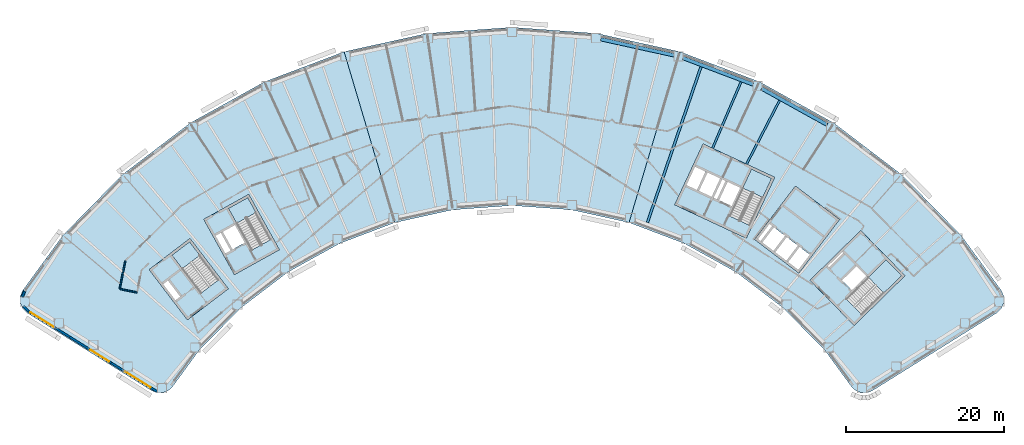
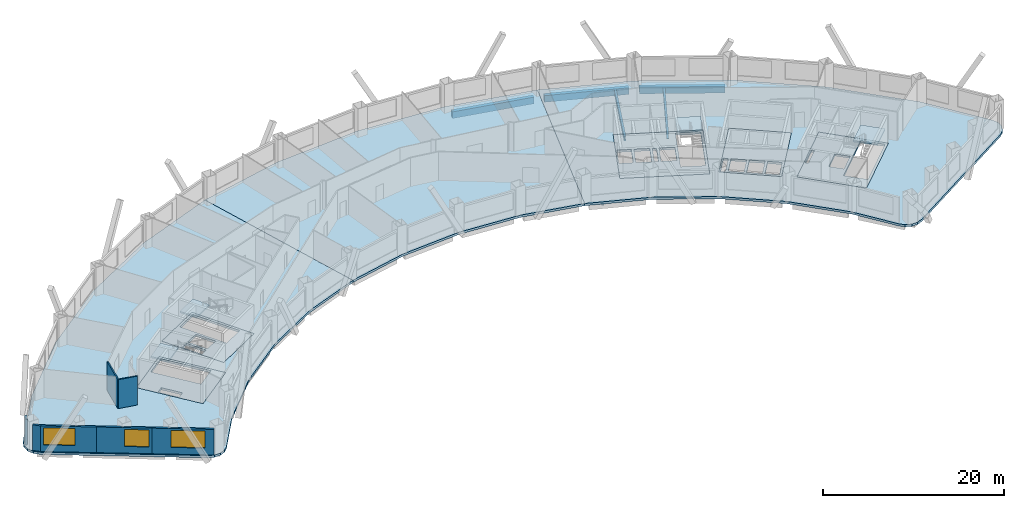
# One storey, part 2 of 12: 12 slabs, 7 walls, 6 beams, 3 windows, 3 openings, 4 elements without a shape of their own.
"""IFC4 building model written with IfcOpenShell, lengths in metres."""

from ifc_helpers import new_model, si_unit, direction, frame, frame_2d, origin, origin_2d, place, context, subcontext, project, spatial, polyline, rectangle, hollow_rectangle, i_section, outline, extrude, material, layer, layer_set, material_profile, profile_set, type_object, element, fill, aggregate, save


model = new_model("IFC4")

# Units and contexts
model_context = context("Model", 3, precision=1e-05, world=origin(), true_north=direction((0.0, 1.0)))
body_context = subcontext(model_context, "Body", "Model", "MODEL_VIEW")
ifc_project = project(units=[si_unit("LENGTHUNIT", "METRE"), si_unit("AREAUNIT", "SQUARE_METRE"), si_unit("VOLUMEUNIT", "CUBIC_METRE"), si_unit("PLANEANGLEUNIT", "RADIAN"), si_unit("MASSUNIT", "GRAM", prefix="KILO")], contexts=[model_context])

# Site, building, storey
site_placement = place(None, origin())
site = spatial("IfcSite", under=ifc_project, at=site_placement, CompositionType="ELEMENT")
building_placement = place(site_placement, origin())
building = spatial("IfcBuilding", under=site, at=building_placement, Name="Tuul Gate Civic Tower", CompositionType="ELEMENT")
storey_placement = place(building_placement, frame((0.0, 0.0, 82.199951171875)))
storey = spatial("IfcBuildingStorey", under=building, at=storey_placement, Name="Level 18", CompositionType="ELEMENT", Elevation=82.199951171875)

# Beams
ifc_material_1 = material(Name="Steel S355", Category="steel")
ifc_material_profile_1 = material_profile(ifc_material_1, i_section(OverallWidth=0.25, OverallDepth=0.64990234375, WebThickness=0.011962890625, FlangeThickness=0.02001953125, at=origin_2d()), Name="PG650x250x12x20")
ifc_profile_set_1 = profile_set([ifc_material_profile_1], Name="Steel S355")
beam_type_1 = type_object("IfcBeamType", Name="STR-FLOOR BEAM-PG650x250x12x20", PredefinedType="BEAM", material=ifc_profile_set_1)
beam_1_placement = place(storey_placement, frame((34.490478515625, 1.98095703125, -0.625), z_axis=(0.460790383982, 0.887508998281, 0.0), x_axis=(-0.887508998281, 0.460790383982, 0.0)))
element("IfcBeam", 1, at=beam_1_placement, inside=storey, type_object=beam_type_1, Name="Floor beam", PredefinedType="BEAM", context=body_context, shape_type="SweptSolid", body=[
    extrude(i_section(OverallWidth=0.25, OverallDepth=0.64990234375, WebThickness=0.011962890625, FlangeThickness=0.02001953125, at=origin_2d()), origin(), (0.0, 0.0, 1.0), 9.064453125),
])
beam_2_placement = place(storey_placement, frame((30.191162109375, 3.98583984375, -0.625), z_axis=(0.394199935174, 0.919024706474, 0.0), x_axis=(-0.919024706474, 0.394199935174, 0.0)))
element("IfcBeam", 2, at=beam_2_placement, inside=storey, type_object=beam_type_1, Name="Floor beam", PredefinedType="BEAM", context=body_context, shape_type="SweptSolid", body=[
    extrude(i_section(OverallWidth=0.25, OverallDepth=0.64990234375, WebThickness=0.011962890625, FlangeThickness=0.02001953125, at=origin_2d()), origin(), (0.0, 0.0, 1.0), 9.1337890625),
])
ifc_material_2 = material(Name="Steel S355", Category="steel")
ifc_material_profile_2 = material_profile(ifc_material_2, i_section(OverallWidth=0.300048828125, OverallDepth=0.800048828125, WebThickness=0.013916015625, FlangeThickness=0.02490234375, at=origin_2d()), Name="PG800x300x14x25")
ifc_profile_set_2 = profile_set([ifc_material_profile_2], Name="Steel S355")
beam_type_2 = type_object("IfcBeamType", Name="STR-FLOOR BEAM-PG800x300x14x25", PredefinedType="BEAM", material=ifc_profile_set_2)
beam_3_placement = place(storey_placement, frame((21.954345703125, -5.380859375, -0.699951171875), z_axis=(0.325483706592, 0.945547649113, 0.0), x_axis=(-0.945547649113, 0.325483706592, 0.0)))
element("IfcBeam", 3, at=beam_3_placement, inside=storey, type_object=beam_type_2, Name="Floor beam", PredefinedType="BEAM", context=body_context, shape_type="SweptSolid", body=[
    extrude(i_section(OverallWidth=0.300048828125, OverallDepth=0.800048828125, WebThickness=0.013916015625, FlangeThickness=0.02490234375, at=origin_2d()), origin(), (0.0, 0.0, 1.0), 20.808837890625),
])
ifc_material_3 = material(Name="Steel S355", Category="steel")
ifc_material_profile_3 = material_profile(ifc_material_3, hollow_rectangle(XDim=0.449951171875, YDim=0.89990234375, WallThickness=0.02490234375, at=origin_2d()), Name="BOX900x450x25")
ifc_profile_set_3 = profile_set([ifc_material_profile_3], Name="Steel S355")
beam_type_3 = type_object("IfcBeamType", Name="STR-SPANDREL BEAM-BOX900x450x25", PredefinedType="BEAM", material=ifc_profile_set_3)
beam_4_placement = place(storey_placement, frame((44.686279296875, 6.974853515625, -0.75), z_axis=(-0.874608888761, 0.484829136604, 0.0), x_axis=(-0.484829136604, -0.874608888761, 0.0)))
element("IfcBeam", 4, at=beam_4_placement, inside=storey, type_object=beam_type_3, Name="Spandrel beam", PredefinedType="BEAM", context=body_context, shape_type="SweptSolid", body=[
    extrude(hollow_rectangle(XDim=0.449951171875, YDim=0.89990234375, WallThickness=0.02490234375, at=origin_2d()), origin(), (0.0, 0.0, 1.0), 9.47802734375),
])
beam_5_placement = place(storey_placement, frame((35.310791015625, 12.0732421875, -0.75), z_axis=(-0.935376104649, 0.353654552993, 0.0), x_axis=(-0.353654552993, -0.935376104649, 0.0)))
element("IfcBeam", 5, at=beam_5_placement, inside=storey, type_object=beam_type_3, Name="Spandrel beam", PredefinedType="BEAM", context=body_context, shape_type="SweptSolid", body=[
    extrude(hollow_rectangle(XDim=0.449951171875, YDim=0.89990234375, WallThickness=0.02490234375, at=origin_2d()), origin(), (0.0, 0.0, 1.0), 9.47705078125),
])
beam_6_placement = place(storey_placement, frame((25.299072265625, 15.76611328125, -0.75), z_axis=(-0.97656320303, 0.215230830708, 0.0), x_axis=(-0.215230830708, -0.97656320303, 0.0)))
element("IfcBeam", 6, at=beam_6_placement, inside=storey, type_object=beam_type_3, Name="Spandrel beam", PredefinedType="BEAM", context=body_context, shape_type="SweptSolid", body=[
    extrude(hollow_rectangle(XDim=0.449951171875, YDim=0.89990234375, WallThickness=0.02490234375, at=origin_2d()), origin(), (0.0, 0.0, 1.0), 9.477294921875),
])

# Slabs
ifc_material_4 = material(Name="Concrete C40/50", Category="concrete")
ifc_layer_1 = layer(ifc_material_4, 0.300048828125)
ifc_layer_set_1 = layer_set([ifc_layer_1], Name="Concrete C40/50")
slab_type_1 = type_object("IfcSlabType", Name="Core floor slab 300", PredefinedType="FLOOR", material=ifc_layer_set_1)
slab_1_placement = place(storey_placement, frame((0.0, 0.0, -0.300048828125)))
element("IfcSlab", 7, at=slab_1_placement, inside=storey, type_object=slab_type_1, Name="FLOOR SLAB", PredefinedType="FLOOR", context=body_context, shape_type="SweptSolid", body=[
    extrude(outline(polyline([(-31.10009765625, -13.7890625), (-35.946044921875, -7.423828125), (-41.11767578125, -11.361572265625), (-36.271484375, -17.726806640625), (-31.10009765625, -13.7890625)]), holes=[polyline([(-37.19287109375, -14.783203125), (-38.737548828125, -12.75439453125), (-39.45361328125, -13.299560546875), (-37.908935546875, -15.328369140625), (-37.19287109375, -14.783203125)]), polyline([(-32.33935546875, -12.65771484375), (-34.56591796875, -14.352783203125), (-38.229736328125, -9.54052734375), (-36.003173828125, -7.845458984375), (-32.33935546875, -12.65771484375)])]), origin(), (0.0, 0.0, 1.0), 0.300048828125),
])
slab_2_placement = place(storey_placement, frame((0.0, 0.0, -0.300048828125)))
element("IfcSlab", 8, at=slab_2_placement, inside=storey, type_object=slab_type_1, Name="FLOOR SLAB", PredefinedType="FLOOR", context=body_context, shape_type="SweptSolid", body=[
    extrude(outline(polyline([(-24.638916015625, -8.846923828125), (-28.51708984375, -1.849853515625), (-34.2021484375, -5.0009765625), (-30.32421875, -11.998046875), (-24.638916015625, -8.846923828125)]), holes=[polyline([(-29.0185546875, -7.958740234375), (-30.254638671875, -5.728515625), (-31.785400390625, -6.576904296875), (-30.54931640625, -8.80712890625), (-29.0185546875, -7.958740234375)]), polyline([(-30.8115234375, -8.95263671875), (-32.047607421875, -6.72216796875), (-32.8349609375, -7.158447265625), (-31.5986328125, -9.388916015625), (-30.8115234375, -8.95263671875)]), polyline([(-25.702392578125, -7.548828125), (-28.14990234375, -8.905517578125), (-31.08203125, -3.615234375), (-28.63427734375, -2.2587890625), (-25.702392578125, -7.548828125)])]), origin(), (0.0, 0.0, 1.0), 0.300048828125),
])
slab_3_placement = place(storey_placement, frame((0.0, 0.0, -0.300048828125)))
element("IfcSlab", 9, at=slab_3_placement, inside=storey, type_object=slab_type_1, Name="FLOOR SLAB", PredefinedType="FLOOR", context=body_context, shape_type="SweptSolid", body=[
    extrude(outline(polyline([(48.117919921875, -18.43310546875), (54.545166015625, -12.1328125), (48.945068359375, -6.419921875), (42.517822265625, -12.719970703125), (48.117919921875, -18.43310546875)]), holes=[polyline([(47.808837890625, -13.974853515625), (49.6298828125, -12.18994140625), (48.40478515625, -10.940185546875), (46.583984375, -12.72509765625), (47.808837890625, -13.974853515625)]), polyline([(44.93896484375, -11.046875), (46.760009765625, -9.261962890625), (46.514892578125, -9.011962890625), (44.69384765625, -10.797119140625), (44.93896484375, -11.046875)]), polyline([(49.086181640625, -17.062744140625), (47.12744140625, -15.064208984375), (52.160888671875, -10.130126953125), (54.11962890625, -12.128662109375), (49.086181640625, -17.062744140625)])]), origin(), (0.0, 0.0, 1.0), 0.300048828125),
])
slab_4_placement = place(storey_placement, frame((0.0, 0.0, -0.300048828125)))
element("IfcSlab", 10, at=slab_4_placement, inside=storey, type_object=slab_type_1, Name="FLOOR SLAB", PredefinedType="FLOOR", context=body_context, shape_type="SweptSolid", body=[
    extrude(outline(polyline([(34.465087890625, -7.385986328125), (38.056884765625, 0.31787109375), (28.993896484375, 4.543701171875), (25.40185546875, -3.159912109375), (34.465087890625, -7.385986328125)]), holes=[polyline([(32.60888671875, -3.32080078125), (33.6865234375, -1.009765625), (32.1005859375, -0.27001953125), (31.02294921875, -2.581298828125), (32.60888671875, -3.32080078125)]), polyline([(30.0712890625, -2.137451171875), (31.14892578125, 0.173583984375), (29.562744140625, 0.9130859375), (28.4853515625, -1.39794921875), (30.0712890625, -2.137451171875)]), polyline([(30.751220703125, -2.454345703125), (31.82861328125, -0.143310546875), (31.4208984375, 0.046875), (30.34326171875, -2.264404296875), (30.751220703125, -2.454345703125)]), polyline([(28.21337890625, -1.27099609375), (29.291015625, 1.0400390625), (27.8408203125, 1.71630859375), (26.76318359375, -0.594970703125), (28.21337890625, -1.27099609375)]), polyline([(34.889892578125, -5.7626953125), (32.353759765625, -4.580078125), (35.120849609375, 1.354736328125), (37.6572265625, 0.17236328125), (34.889892578125, -5.7626953125)])]), origin(), (0.0, 0.0, 1.0), 0.300048828125),
])
ifc_material_5 = material(Name="Concrete C40/50", Category="concrete")
ifc_layer_2 = layer(ifc_material_5, 0.300048828125)
ifc_layer_set_2 = layer_set([ifc_layer_2], Name="Concrete C40/50")
slab_type_2 = type_object("IfcSlabType", Name="Core floor slab 300 non-bearing", PredefinedType="FLOOR", material=ifc_layer_set_2)
slab_5_placement = place(storey_placement, frame((0.0, 0.0, -0.300048828125)))
element("IfcSlab", 11, at=slab_5_placement, inside=storey, type_object=slab_type_2, Name="FLOOR SLAB", PredefinedType="FLOOR", context=body_context, shape_type="SweptSolid", body=[
    extrude(outline(polyline([(41.10107421875, -11.797119140625), (46.25, -5.033935546875), (40.680908203125, -0.79296875), (35.531982421875, -7.555908203125), (41.10107421875, -11.797119140625)]), holes=[polyline([(41.044189453125, -11.37646484375), (42.497802734375, -9.467041015625), (41.22509765625, -8.49755859375), (39.77099609375, -10.4072265625), (41.044189453125, -11.37646484375)]), polyline([(39.532470703125, -10.225341796875), (40.986328125, -8.31591796875), (39.593994140625, -7.255615234375), (38.14013671875, -9.165283203125), (39.532470703125, -10.225341796875)]), polyline([(37.901611328125, -8.9833984375), (39.35546875, -7.073974609375), (37.963134765625, -6.013671875), (36.50927734375, -7.923095703125), (37.901611328125, -8.9833984375)]), polyline([(36.1796875, -7.860595703125), (37.724609375, -5.831787109375), (37.286865234375, -5.49853515625), (35.7421875, -7.527587890625), (36.1796875, -7.860595703125)])]), origin(), (0.0, 0.0, 1.0), 0.300048828125),
])

# Stair, slab
ifc_material_6 = material(Name="Concrete C40/50", Category="concrete")
stair_type = type_object("IfcStairType", Name="Exit stair", PredefinedType="HALF_TURN_STAIR", material=ifc_material_6)
stair_1_placement = place(storey_placement, origin())
stair_1 = element("IfcStair", 12, at=stair_1_placement, inside=storey, type_object=stair_type, Name="Level 18 ST-1", PredefinedType="HALF_TURN_STAIR")
ifc_material_7 = material(Name="Concrete C40/50", Category="concrete")
ifc_layer_3 = layer(ifc_material_7, 0.199951171875)
ifc_layer_set_3 = layer_set([ifc_layer_3], Name="Concrete C40/50")
slab_type_3 = type_object("IfcSlabType", Name="Exit stair landing", PredefinedType="LANDING", material=ifc_layer_set_3)
slab_6_placement = place(storey_placement, frame((0.0, 0.0, 1.900146484375)))
slab_6 = element("IfcSlab", 13, at=slab_6_placement, type_object=slab_type_3, Name="ST-1 landing 1", PredefinedType="LANDING", context=body_context, shape_type="SweptSolid", body=[
    extrude(outline(polyline([(-34.699462890625, -9.554931640625), (-36.9287109375, -11.252197265625), (-38.23193359375, -9.540283203125), (-36.0029296875, -7.843017578125), (-34.699462890625, -9.554931640625)])), origin(), (0.0, 0.0, 1.0), 0.199951171875),
])
aggregate(stair_1, [slab_6])

stair_2_placement = place(storey_placement, origin())
stair_2 = element("IfcStair", 14, at=stair_2_placement, inside=storey, type_object=stair_type, Name="Level 18 ST-2", PredefinedType="HALF_TURN_STAIR")
slab_7_placement = place(storey_placement, frame((0.0, 0.0, 1.900146484375)))
slab_7 = element("IfcSlab", 15, at=slab_7_placement, type_object=slab_type_3, Name="ST-2 landing 1", PredefinedType="LANDING", context=body_context, shape_type="SweptSolid", body=[
    extrude(outline(polyline([(-27.5908203125, -4.138427734375), (-30.041015625, -5.49658203125), (-31.084228515625, -3.61474609375), (-28.6337890625, -2.256591796875), (-27.5908203125, -4.138427734375)])), origin(), (0.0, 0.0, 1.0), 0.199951171875),
])
aggregate(stair_2, [slab_7])

stair_3_placement = place(storey_placement, origin())
stair_3 = element("IfcStair", 16, at=stair_3_placement, inside=storey, type_object=stair_type, Name="Level 18 ST-3", PredefinedType="HALF_TURN_STAIR")
slab_8_placement = place(storey_placement, frame((0.0, 0.0, 1.900146484375)))
slab_8 = element("IfcSlab", 17, at=slab_8_placement, type_object=slab_type_3, Name="ST-3 landing 1", PredefinedType="LANDING", context=body_context, shape_type="SweptSolid", body=[
    extrude(outline(polyline([(51.871337890625, -14.3349609375), (49.91015625, -12.334228515625), (52.160888671875, -10.1279296875), (54.1220703125, -12.128662109375), (51.871337890625, -14.3349609375)])), origin(), (0.0, 0.0, 1.0), 0.199951171875),
])
aggregate(stair_3, [slab_8])

stair_4_placement = place(storey_placement, origin())
stair_4 = element("IfcStair", 18, at=stair_4_placement, inside=storey, type_object=stair_type, Name="Level 18 ST-4", PredefinedType="HALF_TURN_STAIR")
slab_9_placement = place(storey_placement, frame((0.0, 0.0, 1.900146484375)))
slab_9 = element("IfcSlab", 19, at=slab_9_placement, type_object=slab_type_3, Name="ST-4 landing 1", PredefinedType="LANDING", context=body_context, shape_type="SweptSolid", body=[
    extrude(outline(polyline([(36.538818359375, -2.230224609375), (33.999755859375, -1.046142578125), (35.1201171875, 1.35693359375), (37.659423828125, 0.173095703125), (36.538818359375, -2.230224609375)])), origin(), (0.0, 0.0, 1.0), 0.199951171875),
])
aggregate(stair_4, [slab_9])

# Slabs
ifc_material_8 = material(Name="Concrete C35/45", Category="concrete")
ifc_layer_4 = layer(ifc_material_8, 0.300048828125)
ifc_layer_set_4 = layer_set([ifc_layer_4], Name="Concrete C35/45")
slab_type_4 = type_object("IfcSlabType", Name="STR-FLOOR-SLAB-300", PredefinedType="FLOOR", material=ifc_layer_set_4)
slab_10_placement = place(storey_placement, frame((0.0, 0.0, -0.300048828125)))
element("IfcSlab", 20, at=slab_10_placement, inside=storey, type_object=slab_type_4, Name="Level 18/slab/W", PredefinedType="FLOOR", context=body_context, shape_type="SweptSolid", body=[
    extrude(outline(polyline([(-10.006103515625, -5.407958984375), (-16.43994140625, 16.214111328125), (-26.508056640625, 12.406982421875), (-35.923095703125, 7.18798828125), (-44.487060546875, 0.6669921875), (-52.02294921875, -7.02001953125), (-57.10302734375, -13.97607421875), (-57.43994140625, -14.718994140625), (-57.451904296875, -15.534912109375), (-57.136962890625, -16.2880859375), (-56.548095703125, -16.85205078125), (-40.818115234375, -26.680908203125), (-40.1240234375, -26.950927734375), (-39.37890625, -26.948974609375), (-38.68701171875, -26.674072265625), (-38.14306640625, -26.1650390625), (-34.81396484375, -21.60693359375), (-29.56005859375, -16.2470703125), (-23.589111328125, -11.700927734375), (-17.02490234375, -8.06298828125), (-10.006103515625, -5.407958984375)]), holes=[polyline([(-31.10009765625, -13.7890625), (-36.27197265625, -17.72705078125), (-41.117919921875, -11.362060546875), (-35.946044921875, -7.424072265625), (-31.10009765625, -13.7890625)]), polyline([(-24.638916015625, -8.846923828125), (-30.323974609375, -11.998046875), (-34.201904296875, -5.0009765625), (-28.51708984375, -1.85009765625), (-24.638916015625, -8.846923828125)])]), origin(), (0.0, 0.0, 1.0), 0.300048828125),
])
slab_11_placement = place(storey_placement, frame((0.0, 0.0, -0.300048828125)))
element("IfcSlab", 21, at=slab_11_placement, inside=storey, type_object=slab_type_4, Name="Level 18/slab/M", PredefinedType="FLOOR", context=body_context, shape_type="SweptSolid", body=[
    extrude(outline(polyline([(19.6220703125, -5.407958984375), (26.055908203125, 16.214111328125), (15.5439453125, 18.531005859375), (4.80810546875, 19.30810546875), (-5.927978515625, 18.531005859375), (-16.43994140625, 16.214111328125), (-10.006103515625, -5.407958984375), (-2.677001953125, -3.79296875), (4.80810546875, -3.2509765625), (12.29296875, -3.79296875), (19.6220703125, -5.407958984375)])), origin(), (0.0, 0.0, 1.0), 0.300048828125),
])
slab_12_placement = place(storey_placement, frame((0.0, 0.0, -0.300048828125)))
element("IfcSlab", 22, at=slab_12_placement, inside=storey, type_object=slab_type_4, Name="Level 18/slab/E", PredefinedType="FLOOR", context=body_context, shape_type="SweptSolid", body=[
    extrude(outline(polyline([(49.739990234375, -26.950927734375), (50.43408203125, -26.680908203125), (66.1640625, -16.85205078125), (66.75390625, -16.2880859375), (67.068115234375, -15.534912109375), (67.055908203125, -14.718994140625), (66.719970703125, -13.97607421875), (61.638916015625, -7.02001953125), (54.10400390625, 0.6669921875), (45.5400390625, 7.18798828125), (36.125, 12.406982421875), (26.055908203125, 16.214111328125), (19.6220703125, -5.407958984375), (26.64208984375, -8.06298828125), (33.2060546875, -11.700927734375), (39.177001953125, -16.2470703125), (44.429931640625, -21.60693359375), (47.760009765625, -26.1650390625), (48.302978515625, -26.674072265625), (48.9951171875, -26.948974609375), (49.739990234375, -26.950927734375)]), holes=[polyline([(48.117919921875, -18.43310546875), (42.51806640625, -12.719970703125), (48.945068359375, -6.419921875), (54.544921875, -12.133056640625), (48.117919921875, -18.43310546875)]), polyline([(35.531982421875, -7.555908203125), (40.680908203125, -0.79296875), (46.25, -5.033935546875), (41.10107421875, -11.797119140625), (35.531982421875, -7.555908203125)]), polyline([(25.402099609375, -3.159912109375), (28.993896484375, 4.5439453125), (38.056884765625, 0.318115234375), (34.465087890625, -7.385986328125), (25.402099609375, -3.159912109375)])]), origin(), (0.0, 0.0, 1.0), 0.300048828125),
])

# Walls
ifc_material_9 = material(Name="Gypsum board partition")
ifc_layer_5 = layer(ifc_material_9, 0.14990234375)
ifc_layer_set_5 = layer_set([ifc_layer_5], Name="Gypsum board partition")
wall_type_1 = type_object("IfcWallType", Name="Corridor wall P150", PredefinedType="PARTITIONING", material=ifc_layer_set_5)
wall_1_placement = place(storey_placement, frame((-44.85205078125, -13.807861328125, 0.0), z_axis=(0.0, 0.0, 1.0), x_axis=(0.199641508505, 0.979869005573, 0.0)))
element("IfcWall", 23, at=wall_1_placement, inside=storey, type_object=wall_type_1, Name="p043", PredefinedType="PARTITIONING", context=body_context, shape_type="SweptSolid", body=[
    extrude(rectangle(XDim=3.634521484375, YDim=0.14990234375, at=frame_2d((1.8173828125, 0.0))), origin(), (0.0, 0.0, 1.0), 3.900146484375),
])
wall_2_placement = place(storey_placement, frame((-44.85205078125, -13.807861328125, 0.0), z_axis=(0.0, 0.0, 1.0), x_axis=(0.979869081236, -0.199641137136, 0.0)))
element("IfcWall", 24, at=wall_2_placement, inside=storey, type_object=wall_type_1, Name="p054", PredefinedType="PARTITIONING", context=body_context, shape_type="SweptSolid", body=[
    extrude(rectangle(XDim=2.250244140625, YDim=0.14990234375, at=frame_2d((1.125, 0.0))), origin(), (0.0, 0.0, 1.0), 3.900146484375),
])
ifc_material_10 = material(Name="Precast concrete C40/50", Category="concrete")
ifc_layer_6 = layer(ifc_material_10, 0.25)
ifc_layer_set_6 = layer_set([ifc_layer_6], Name="Precast concrete C40/50")
wall_type_2 = type_object("IfcWallType", Name="External wall", PredefinedType="STANDARD", material=ifc_layer_set_6)
wall_3_placement = place(storey_placement, frame((-56.8681640625, -14.116455078125, 0.0), z_axis=(0.0, 0.0, 1.0), x_axis=(-0.412280175097, -0.911057109748, 0.0)))
element("IfcWall", 25, at=wall_3_placement, inside=storey, type_object=wall_type_2, Name="External wall", PredefinedType="STANDARD", context=body_context, shape_type="SweptSolid", body=[
    extrude(rectangle(XDim=0.7734375, YDim=0.25, at=frame_2d((0.38671875, 0.0))), origin(), (0.0, 0.0, 1.0), 3.449951171875),
])
wall_4_placement = place(storey_placement, frame((-57.022216796875, -16.02099609375, 0.0), z_axis=(0.0, 0.0, 1.0), x_axis=(0.722079843393, -0.691809728007, 0.0)))
element("IfcWall", 26, at=wall_4_placement, inside=storey, type_object=wall_type_2, Name="External wall", PredefinedType="STANDARD", context=body_context, shape_type="SweptSolid", body=[
    extrude(rectangle(XDim=0.88720703125, YDim=0.25, at=frame_2d((0.443603515625, 0.0))), origin(), (0.0, 0.0, 1.0), 3.449951171875),
])

# Wall, opening, window
wall_5_placement = place(storey_placement, frame((-56.40185546875, -16.618896484375, 0.0), z_axis=(0.0, 0.0, 1.0), x_axis=(0.848053758074, -0.529910203164, 0.0)))
wall_5 = element("IfcWall", 27, at=wall_5_placement, inside=storey, type_object=wall_type_2, Name="External wall", PredefinedType="STANDARD", context=body_context, shape_type="SweptSolid", body=[
    extrude(rectangle(XDim=6.182861328125, YDim=0.25, at=frame_2d((3.09130859375, 0.0))), origin(), (0.0, 0.0, 1.0), 3.449951171875),
])
opening_1_placement = place(wall_5_placement, frame((0.319091796875, 0.0, 0.89990234375)))
opening_1 = element("IfcOpeningElement", 28, at=opening_1_placement, cuts=wall_5, Name="Opening W74", PredefinedType="OPENING", context=body_context, shape_type="SweptSolid", body=[
    extrude(rectangle(XDim=3.5, YDim=2.300048828125, at=frame_2d((1.75, 1.14990234375))), frame((0.0, 0.135009765625, 0.0), z_axis=(0.0, -1.0, 0.0), x_axis=(1.0, 0.0, 0.0)), (0.0, 0.0, 1.0), 0.27001953125),
])
ifc_material_11 = material(Name="Glass", Category="glass")
window_type_1 = type_object("IfcWindowType", Name="Window 3500 x 2300", PartitioningType="SINGLE_PANEL", PredefinedType="WINDOW", material=ifc_material_11)
window_1_placement = place(opening_1_placement, origin())
window_1 = element("IfcWindow", 29, at=window_1_placement, inside=storey, type_object=window_type_1, Name="Window", OverallHeight=2.300048828125, OverallWidth=3.5, PartitioningType="SINGLE_PANEL", PredefinedType="WINDOW", context=body_context, shape_type="SweptSolid", body=[
    extrude(rectangle(XDim=3.5, YDim=2.300048828125, at=frame_2d((1.75, 1.14990234375))), frame((0.0, 0.030029296875, 0.0), z_axis=(0.0, -1.0, 0.0), x_axis=(1.0, 0.0, 0.0)), (0.0, 0.0, 1.0), 0.06005859375),
])
fill(opening_1, window_1)

wall_6_placement = place(storey_placement, frame((-51.158447265625, -19.895263671875, 0.0), z_axis=(0.0, 0.0, 1.0), x_axis=(0.848053758074, -0.529910203164, 0.0)))
wall_6 = element("IfcWall", 30, at=wall_6_placement, inside=storey, type_object=wall_type_2, Name="External wall", PredefinedType="STANDARD", context=body_context, shape_type="SweptSolid", body=[
    extrude(rectangle(XDim=6.182861328125, YDim=0.25, at=frame_2d((3.09130859375, 0.0))), origin(), (0.0, 0.0, 1.0), 3.449951171875),
])
opening_2_placement = place(wall_6_placement, frame((3.10302734375, 0.0, 0.89990234375)))
opening_2 = element("IfcOpeningElement", 31, at=opening_2_placement, cuts=wall_6, Name="Opening W30", PredefinedType="OPENING", context=body_context, shape_type="SweptSolid", body=[
    extrude(rectangle(XDim=2.75, YDim=2.300048828125, at=frame_2d((1.375, 1.14990234375))), frame((0.0, 0.135009765625, 0.0), z_axis=(0.0, -1.0, 0.0), x_axis=(1.0, 0.0, 0.0)), (0.0, 0.0, 1.0), 0.27001953125),
])
ifc_material_12 = material(Name="Glass", Category="glass")
window_type_2 = type_object("IfcWindowType", Name="Window 2750 x 2300", PartitioningType="SINGLE_PANEL", PredefinedType="WINDOW", material=ifc_material_12)
window_2_placement = place(opening_2_placement, origin())
window_2 = element("IfcWindow", 32, at=window_2_placement, inside=storey, type_object=window_type_2, Name="Window", OverallHeight=2.300048828125, OverallWidth=2.75, PartitioningType="SINGLE_PANEL", PredefinedType="WINDOW", context=body_context, shape_type="SweptSolid", body=[
    extrude(rectangle(XDim=2.75, YDim=2.300048828125, at=frame_2d((1.375, 1.14990234375))), frame((0.0, 0.030029296875, 0.0), z_axis=(0.0, -1.0, 0.0), x_axis=(1.0, 0.0, 0.0)), (0.0, 0.0, 1.0), 0.06005859375),
])
fill(opening_2, window_2)

wall_7_placement = place(storey_placement, frame((-45.9150390625, -23.171630859375, 0.0), z_axis=(0.0, 0.0, 1.0), x_axis=(0.848052242305, -0.529912628951, 0.0)))
wall_7 = element("IfcWall", 33, at=wall_7_placement, inside=storey, type_object=wall_type_2, Name="External wall", PredefinedType="STANDARD", context=body_context, shape_type="SweptSolid", body=[
    extrude(rectangle(XDim=6.865234375, YDim=0.25, at=frame_2d((3.4326171875, 0.0))), origin(), (0.0, 0.0, 1.0), 3.449951171875),
])
opening_3_placement = place(wall_7_placement, frame((2.06591796875, 0.0, 0.89990234375)))
opening_3 = element("IfcOpeningElement", 34, at=opening_3_placement, cuts=wall_7, Name="Opening W100", PredefinedType="OPENING", context=body_context, shape_type="SweptSolid", body=[
    extrude(rectangle(XDim=3.800048828125, YDim=2.300048828125, at=frame_2d((1.89990234375, 1.14990234375))), frame((0.0, 0.135009765625, 0.0), z_axis=(0.0, -1.0, 0.0), x_axis=(1.0, 0.0, 0.0)), (0.0, 0.0, 1.0), 0.27001953125),
])
ifc_material_13 = material(Name="Glass", Category="glass")
window_type_3 = type_object("IfcWindowType", Name="Window W100 3800 x 2300", PartitioningType="SINGLE_PANEL", PredefinedType="WINDOW", material=ifc_material_13)
window_3_placement = place(opening_3_placement, origin())
window_3 = element("IfcWindow", 35, at=window_3_placement, inside=storey, type_object=window_type_3, Name="Window", OverallHeight=2.300048828125, OverallWidth=3.800048828125, PartitioningType="SINGLE_PANEL", PredefinedType="WINDOW", context=body_context, shape_type="SweptSolid", body=[
    extrude(rectangle(XDim=3.800048828125, YDim=2.300048828125, at=frame_2d((1.89990234375, 1.14990234375))), frame((0.0, 0.030029296875, 0.0), z_axis=(0.0, -1.0, 0.0), x_axis=(1.0, 0.0, 0.0)), (0.0, 0.0, 1.0), 0.06005859375),
])
fill(opening_3, window_3)

save(model, "model.ifc")
